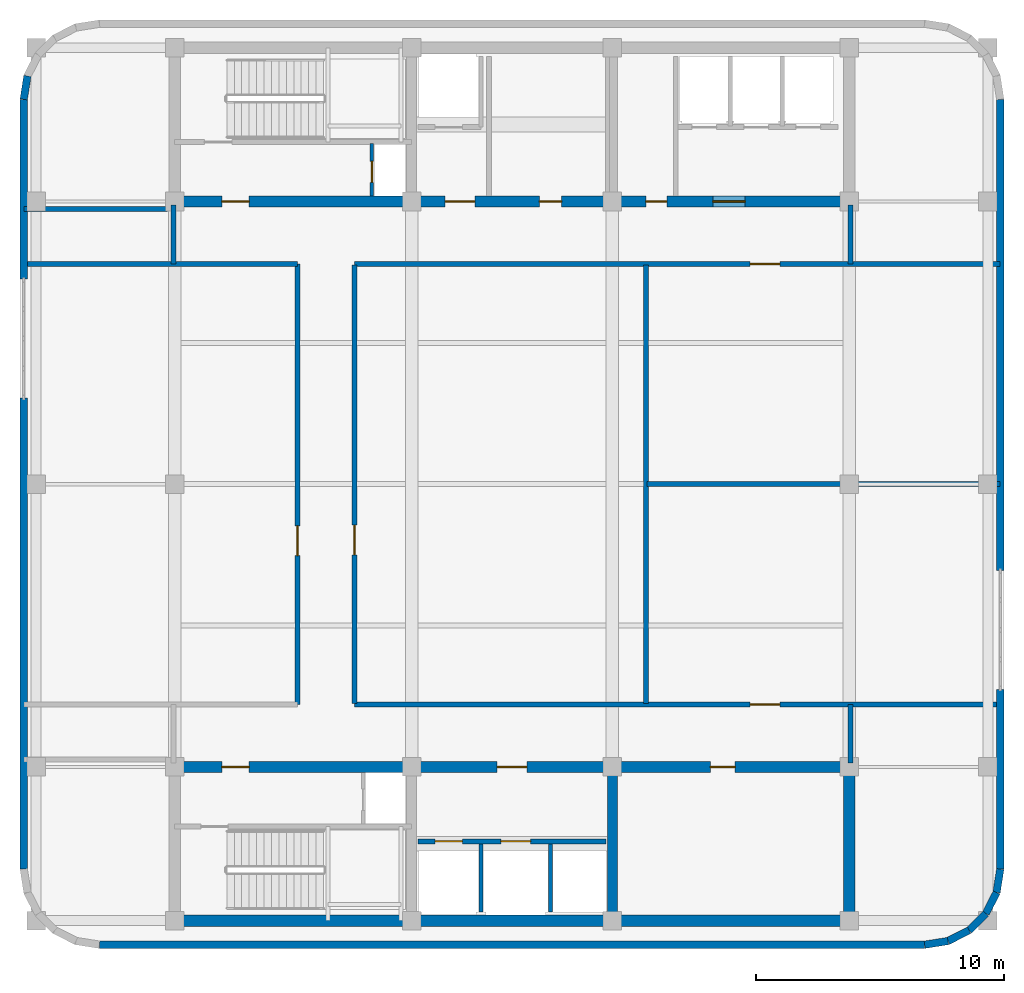
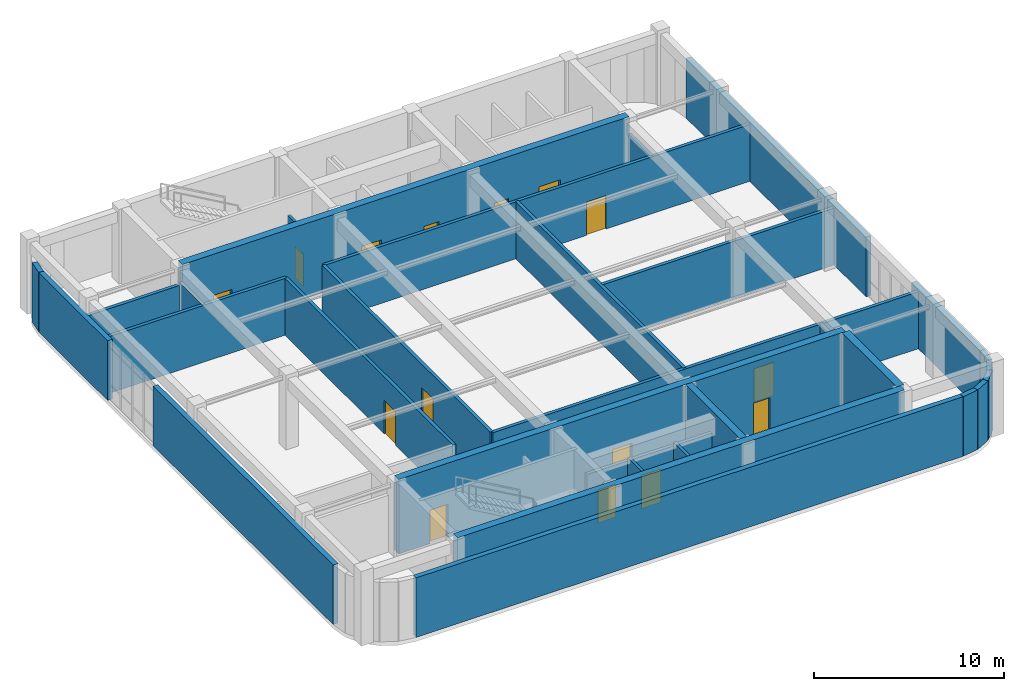
# One storey, part 5 of 7: 31 walls, 15 doors, 15 openings.
"""IFC4 building model written with IfcOpenShell, lengths in metres."""

from ifc_helpers import new_model, si_unit, direction, frame, frame_2d, origin, place, context, subcontext, project, spatial, rectangle, extrude, material, layer, layer_set, type_object, element, fill, save


model = new_model("IFC4")

# Units and contexts
model_context = context("Model", 3, precision=1e-05, world=origin(), true_north=direction((0.0, 1.0)))
body_context = subcontext(model_context, "Body", "Model", "MODEL_VIEW")
ifc_project = project(units=[si_unit("LENGTHUNIT", "METRE"), si_unit("AREAUNIT", "SQUARE_METRE"), si_unit("VOLUMEUNIT", "CUBIC_METRE"), si_unit("PLANEANGLEUNIT", "RADIAN"), si_unit("MASSUNIT", "GRAM", prefix="KILO")], contexts=[model_context])

# Site, building, storey
site_placement = place(None, origin())
site = spatial("IfcSite", under=ifc_project, at=site_placement, CompositionType="ELEMENT")
building_placement = place(site_placement, origin())
building = spatial("IfcBuilding", under=site, at=building_placement, Name="Svetorya Sky Lyceum", CompositionType="ELEMENT")
storey_placement = place(building_placement, frame((0.0, 0.0, 255.39990234375)))
storey = spatial("IfcBuildingStorey", under=building, at=storey_placement, Name="L64", CompositionType="ELEMENT", Elevation=255.39990234375)

# Walls
ifc_material_1 = material(Name="Concrete C40/50", Category="concrete")
ifc_layer_1 = layer(ifc_material_1, 0.39990234375)
ifc_layer_set_1 = layer_set([ifc_layer_1], Name="Concrete C40/50")
wall_type_1 = type_object("IfcWallType", Name="WL-CORE-400", PredefinedType="SHEAR", material=ifc_layer_set_1)
wall_1_placement = place(storey_placement, frame((43.25, 10.824951171875, 0.0), z_axis=(0.0, 0.0, 1.0), x_axis=(0.0, 1.0, 0.0)))
element("IfcWall", 1, at=wall_1_placement, inside=storey, type_object=wall_type_1, Name="L64 SC Internal Shear Web WEB2", PredefinedType="SHEAR", context=body_context, shape_type="SweptSolid", body=[
    extrude(rectangle(XDim=5.75, YDim=0.39990234375, at=frame_2d((2.875, 0.0))), origin(), (0.0, 0.0, 1.0), 4.800048828125),
])
ifc_material_2 = material(Name="Concrete C50/60", Category="concrete")
ifc_layer_2 = layer(ifc_material_2, 0.449951171875)
ifc_layer_set_2 = layer_set([ifc_layer_2], Name="Concrete C50/60")
wall_type_2 = type_object("IfcWallType", Name="WL-CORE-450", PredefinedType="SHEAR", material=ifc_layer_set_2)
wall_2_placement = place(storey_placement, frame((52.800048828125, 10.60009765625, 0.0), z_axis=(0.0, 0.0, 1.0), x_axis=(-1.0, 0.0, 0.0)))
element("IfcWall", 2, at=wall_2_placement, inside=storey, type_object=wall_type_2, Name="L64 SC Outer Core Shear Wall", PredefinedType="SHEAR", context=body_context, shape_type="SweptSolid", body=[
    extrude(rectangle(XDim=27.199951171875, YDim=0.449951171875, at=frame_2d((13.60009765625, 0.0))), origin(), (0.0, 0.0, 1.0), 4.800048828125),
])
wall_3_placement = place(storey_placement, frame((52.800048828125, 10.824951171875, 0.0), z_axis=(0.0, 0.0, 1.0), x_axis=(0.0, 1.0, 0.0)))
element("IfcWall", 3, at=wall_3_placement, inside=storey, type_object=wall_type_2, Name="L64 SC East Core Shear Wall", PredefinedType="SHEAR", context=body_context, shape_type="SweptSolid", body=[
    extrude(rectangle(XDim=5.75, YDim=0.449951171875, at=frame_2d((2.875, 0.0))), origin(), (0.0, 0.0, 1.0), 4.800048828125),
])

# Wall, openings, doors
wall_4_placement = place(storey_placement, frame((25.60009765625, 16.800048828125, 0.0), z_axis=(0.0, 0.0, 1.0), x_axis=(1.0, 0.0, 0.0)))
wall_4 = element("IfcWall", 4, at=wall_4_placement, inside=storey, type_object=wall_type_2, Name="L64 SC Inner Core Shear Wall", PredefinedType="SHEAR", context=body_context, shape_type="SweptSolid", body=[
    extrude(rectangle(XDim=27.199951171875, YDim=0.449951171875, at=frame_2d((13.60009765625, 0.0))), origin(), (0.0, 0.0, 1.0), 4.800048828125),
])
opening_1_placement = place(wall_4_placement, frame((1.89990234375, 0.0, 0.0)))
opening_1 = element("IfcOpeningElement", 5, at=opening_1_placement, cuts=wall_4, Name="Opening D-ST1", PredefinedType="OPENING", context=body_context, shape_type="SweptSolid", body=[
    extrude(rectangle(XDim=1.10009765625, YDim=2.14990234375, at=frame_2d((0.550048828125, 1.074951171875))), frame((0.0, 0.23486328125, 0.0), z_axis=(0.0, -1.0, 0.0), x_axis=(1.0, 0.0, 0.0)), (0.0, 0.0, 1.0), 0.469970703125),
])
opening_2_placement = place(wall_4_placement, frame((13.0, 0.0, 0.0)))
opening_2 = element("IfcOpeningElement", 6, at=opening_2_placement, cuts=wall_4, Name="Opening D-FL1", PredefinedType="OPENING", context=body_context, shape_type="SweptSolid", body=[
    extrude(rectangle(XDim=1.199951171875, YDim=2.14990234375, at=frame_2d((0.60009765625, 1.074951171875))), frame((0.0, 0.23486328125, 0.0), z_axis=(0.0, -1.0, 0.0), x_axis=(1.0, 0.0, 0.0)), (0.0, 0.0, 1.0), 0.469970703125),
])
opening_3_placement = place(wall_4_placement, frame((21.60009765625, 0.0, 0.0)))
opening_3 = element("IfcOpeningElement", 7, at=opening_3_placement, cuts=wall_4, Name="Opening D-RM2", PredefinedType="OPENING", context=body_context, shape_type="SweptSolid", body=[
    extrude(rectangle(XDim=1.0, YDim=2.14990234375, at=frame_2d((0.5, 1.074951171875))), frame((0.0, 0.23486328125, 0.0), z_axis=(0.0, -1.0, 0.0), x_axis=(1.0, 0.0, 0.0)), (0.0, 0.0, 1.0), 0.469970703125),
])
ifc_material_3 = material(Name="Powder-coated insulated galvanized stair fire door")
door_type_1 = type_object("IfcDoorType", Name="DR-FIRE-1100", OperationType="SINGLE_SWING_LEFT", PredefinedType="DOOR", material=ifc_material_3)
door_1_placement = place(opening_1_placement, origin())
door_1 = element("IfcDoor", 8, at=door_1_placement, inside=storey, type_object=door_type_1, Name="L64 South Stair Airlock Door", OperationType="SINGLE_SWING_RIGHT", OverallHeight=2.14990234375, OverallWidth=1.10009765625, PredefinedType="DOOR", context=body_context, shape_type="SweptSolid", body=[
    extrude(rectangle(XDim=1.10009765625, YDim=2.14990234375, at=frame_2d((0.550048828125, 1.074951171875))), frame((0.0, 0.02490234375, 0.0), z_axis=(0.0, -1.0, 0.0), x_axis=(1.0, 0.0, 0.0)), (0.0, 0.0, 1.0), 0.050048828125),
])
fill(opening_1, door_1)
ifc_material_4 = material(Name="Powder-coated insulated galvanized fire door")
door_type_2 = type_object("IfcDoorType", Name="DR-FIRE-1200", OperationType="SINGLE_SWING_LEFT", PredefinedType="DOOR", material=ifc_material_4)
door_2_placement = place(opening_2_placement, origin())
door_2 = element("IfcDoor", 9, at=door_2_placement, inside=storey, type_object=door_type_2, Name="L64 South Firefighting Lift Lobby Door", OperationType="SINGLE_SWING_LEFT", OverallHeight=2.14990234375, OverallWidth=1.199951171875, PredefinedType="DOOR", context=body_context, shape_type="SweptSolid", body=[
    extrude(rectangle(XDim=1.199951171875, YDim=2.14990234375, at=frame_2d((0.60009765625, 1.074951171875))), frame((0.0, 0.02490234375, 0.0), z_axis=(0.0, -1.0, 0.0), x_axis=(1.0, 0.0, 0.0)), (0.0, 0.0, 1.0), 0.050048828125),
])
fill(opening_2, door_2)
ifc_material_5 = material(Name="Solid-core oak acoustic room door")
door_type_3 = type_object("IfcDoorType", Name="DR-INT-1000", OperationType="SINGLE_SWING_LEFT", PredefinedType="DOOR", material=ifc_material_5)
door_3_placement = place(opening_3_placement, origin())
door_3 = element("IfcDoor", 10, at=door_3_placement, inside=storey, type_object=door_type_3, Name="L64 Trunk Store Door", OperationType="SINGLE_SWING_LEFT", OverallHeight=2.14990234375, OverallWidth=1.0, PredefinedType="DOOR", context=body_context, shape_type="SweptSolid", body=[
    extrude(rectangle(XDim=1.0, YDim=2.14990234375, at=frame_2d((0.5, 1.074951171875))), frame((0.0, 0.02490234375, 0.0), z_axis=(0.0, -1.0, 0.0), x_axis=(1.0, 0.0, 0.0)), (0.0, 0.0, 1.0), 0.050048828125),
])
fill(opening_3, door_3)

wall_5_placement = place(storey_placement, frame((52.800048828125, 39.60009765625, 0.0), z_axis=(0.0, 0.0, 1.0), x_axis=(-1.0, 0.0, 0.0)))
wall_5 = element("IfcWall", 11, at=wall_5_placement, inside=storey, type_object=wall_type_2, Name="L64 NC Inner Core Shear Wall", PredefinedType="SHEAR", context=body_context, shape_type="SweptSolid", body=[
    extrude(rectangle(XDim=27.199951171875, YDim=0.449951171875, at=frame_2d((13.60009765625, 0.0))), origin(), (0.0, 0.0, 1.0), 4.800048828125),
])
opening_4_placement = place(wall_5_placement, frame((24.199951171875, 0.0, 0.0)))
opening_4 = element("IfcOpeningElement", 12, at=opening_4_placement, cuts=wall_5, Name="Opening D-ST1", PredefinedType="OPENING", context=body_context, shape_type="SweptSolid", body=[
    extrude(rectangle(XDim=1.10009765625, YDim=2.14990234375, at=frame_2d((0.550048828125, 1.074951171875))), frame((0.0, 0.23486328125, 0.0), z_axis=(0.0, -1.0, 0.0), x_axis=(1.0, 0.0, 0.0)), (0.0, 0.0, 1.0), 0.469970703125),
])
opening_5_placement = place(wall_5_placement, frame((15.10009765625, 0.0, 0.0)))
opening_5 = element("IfcOpeningElement", 13, at=opening_5_placement, cuts=wall_5, Name="Opening D-FL1", PredefinedType="OPENING", context=body_context, shape_type="SweptSolid", body=[
    extrude(rectangle(XDim=1.199951171875, YDim=2.14990234375, at=frame_2d((0.60009765625, 1.074951171875))), frame((0.0, 0.23486328125, 0.0), z_axis=(0.0, -1.0, 0.0), x_axis=(1.0, 0.0, 0.0)), (0.0, 0.0, 1.0), 0.469970703125),
])
opening_6_placement = place(wall_5_placement, frame((11.60009765625, 0.0, 0.0)))
opening_6 = element("IfcOpeningElement", 14, at=opening_6_placement, cuts=wall_5, Name="Opening D-RM1", PredefinedType="OPENING", context=body_context, shape_type="SweptSolid", body=[
    extrude(rectangle(XDim=0.89990234375, YDim=2.10009765625, at=frame_2d((0.449951171875, 1.050048828125))), frame((0.0, 0.23486328125, 0.0), z_axis=(0.0, -1.0, 0.0), x_axis=(1.0, 0.0, 0.0)), (0.0, 0.0, 1.0), 0.469970703125),
])
opening_7_placement = place(wall_5_placement, frame((7.35009765625, 0.0, 0.0)))
opening_7 = element("IfcOpeningElement", 15, at=opening_7_placement, cuts=wall_5, Name="Opening D-CWC1", PredefinedType="OPENING", context=body_context, shape_type="SweptSolid", body=[
    extrude(rectangle(XDim=0.85009765625, YDim=2.10009765625, at=frame_2d((0.425048828125, 1.050048828125))), frame((0.0, 0.23486328125, 0.0), z_axis=(0.0, -1.0, 0.0), x_axis=(1.0, 0.0, 0.0)), (0.0, 0.0, 1.0), 0.469970703125),
])
opening_8_placement = place(wall_5_placement, frame((4.199951171875, 0.0, 0.0)))
opening_8 = element("IfcOpeningElement", 16, at=opening_8_placement, cuts=wall_5, Name="Opening D-LB1", PredefinedType="OPENING", context=body_context, shape_type="SweptSolid", body=[
    extrude(rectangle(XDim=1.300048828125, YDim=2.199951171875, at=frame_2d((0.64990234375, 1.10009765625))), frame((0.0, 0.23486328125, 0.0), z_axis=(0.0, -1.0, 0.0), x_axis=(1.0, 0.0, 0.0)), (0.0, 0.0, 1.0), 0.469970703125),
])
ifc_material_6 = material(Name="Fire-rated galvanized steel core service closet door", Category="steel")
door_type_4 = type_object("IfcDoorType", Name="DR-CWET-850", OperationType="SINGLE_SWING_LEFT", PredefinedType="DOOR", material=ifc_material_6)
door_4_placement = place(opening_7_placement, origin())
door_4 = element("IfcDoor", 17, at=door_4_placement, inside=storey, type_object=door_type_4, Name="L64 High-Zone Utility Room Door", OperationType="SINGLE_SWING_LEFT", OverallHeight=2.10009765625, OverallWidth=0.85009765625, PredefinedType="DOOR", context=body_context, shape_type="SweptSolid", body=[
    extrude(rectangle(XDim=0.85009765625, YDim=2.10009765625, at=frame_2d((0.425048828125, 1.050048828125))), frame((0.0, 0.02490234375, 0.0), z_axis=(0.0, -1.0, 0.0), x_axis=(1.0, 0.0, 0.0)), (0.0, 0.0, 1.0), 0.050048828125),
])
fill(opening_7, door_4)
door_5_placement = place(opening_4_placement, origin())
door_5 = element("IfcDoor", 18, at=door_5_placement, inside=storey, type_object=door_type_1, Name="L64 North Stair Airlock Door", OperationType="SINGLE_SWING_LEFT", OverallHeight=2.14990234375, OverallWidth=1.10009765625, PredefinedType="DOOR", context=body_context, shape_type="SweptSolid", body=[
    extrude(rectangle(XDim=1.10009765625, YDim=2.14990234375, at=frame_2d((0.550048828125, 1.074951171875))), frame((0.0, 0.02490234375, 0.0), z_axis=(0.0, -1.0, 0.0), x_axis=(1.0, 0.0, 0.0)), (0.0, 0.0, 1.0), 0.050048828125),
])
fill(opening_4, door_5)
door_6_placement = place(opening_5_placement, origin())
door_6 = element("IfcDoor", 19, at=door_6_placement, inside=storey, type_object=door_type_2, Name="L64 North Firefighting Lift Lobby Door", OperationType="SINGLE_SWING_RIGHT", OverallHeight=2.14990234375, OverallWidth=1.199951171875, PredefinedType="DOOR", context=body_context, shape_type="SweptSolid", body=[
    extrude(rectangle(XDim=1.199951171875, YDim=2.14990234375, at=frame_2d((0.60009765625, 1.074951171875))), frame((0.0, 0.02490234375, 0.0), z_axis=(0.0, -1.0, 0.0), x_axis=(1.0, 0.0, 0.0)), (0.0, 0.0, 1.0), 0.050048828125),
])
fill(opening_5, door_6)
ifc_material_7 = material(Name="Lacquered birch veneer internal door")
door_type_5 = type_object("IfcDoorType", Name="DR-INT-900", OperationType="SINGLE_SWING_LEFT", PredefinedType="DOOR", material=ifc_material_7)
door_7_placement = place(opening_6_placement, origin())
door_7 = element("IfcDoor", 20, at=door_7_placement, inside=storey, type_object=door_type_5, Name="L64 Upper Archive Door", OperationType="SINGLE_SWING_LEFT", OverallHeight=2.10009765625, OverallWidth=0.89990234375, PredefinedType="DOOR", context=body_context, shape_type="SweptSolid", body=[
    extrude(rectangle(XDim=0.89990234375, YDim=2.10009765625, at=frame_2d((0.449951171875, 1.050048828125))), frame((0.0, 0.02490234375, 0.0), z_axis=(0.0, -1.0, 0.0), x_axis=(1.0, 0.0, 0.0)), (0.0, 0.0, 1.0), 0.050048828125),
])
fill(opening_6, door_7)
ifc_material_8 = material(Name="Glazed fire-rated aluminium lobby door", Category="aluminium")
door_type_6 = type_object("IfcDoorType", Name="DR-LOB-1300", OperationType="SINGLE_SWING_LEFT", PredefinedType="DOOR", material=ifc_material_8)
door_8_placement = place(opening_8_placement, origin())
door_8 = element("IfcDoor", 21, at=door_8_placement, inside=storey, type_object=door_type_6, Name="L64 North Passenger Lift Lobby Door", OperationType="SINGLE_SWING_LEFT", OverallHeight=2.199951171875, OverallWidth=1.300048828125, PredefinedType="DOOR", context=body_context, shape_type="SweptSolid", body=[
    extrude(rectangle(XDim=1.300048828125, YDim=2.199951171875, at=frame_2d((0.64990234375, 1.10009765625))), frame((0.0, 0.02490234375, 0.0), z_axis=(0.0, -1.0, 0.0), x_axis=(1.0, 0.0, 0.0)), (0.0, 0.0, 1.0), 0.050048828125),
])
fill(opening_8, door_8)

# Walls
ifc_material_9 = material(Name="Putilovo limestone rainscreen on autoclaved cellular masonry", Category="masonry")
ifc_layer_3 = layer(ifc_material_9, 0.300048828125)
ifc_layer_set_3 = layer_set([ifc_layer_3], Name="Putilovo limestone rainscreen on autoclaved cellular masonry")
wall_type_3 = type_object("IfcWallType", Name="WL-EXT-300", PredefinedType="SOLIDWALL", material=ifc_layer_set_3)
wall_6_placement = place(storey_placement, frame((22.56005859375, 9.6298828125, 0.0), z_axis=(0.0, 0.0, 1.0), x_axis=(1.0, 0.0, 0.0)))
element("IfcWall", 22, at=wall_6_placement, inside=storey, type_object=wall_type_3, Name="L64 Limestone Exterior Wall 6M", PredefinedType="SOLIDWALL", context=body_context, shape_type="SweptSolid", body=[
    extrude(rectangle(XDim=33.280029296875, YDim=0.300048828125, at=frame_2d((16.64013671875, 0.0))), origin(), (0.0, 0.0, 1.0), 3.830078125),
])
wall_7_placement = place(storey_placement, frame((55.840087890625, 9.6298828125, 0.0), z_axis=(0.0, 0.0, 1.0), x_axis=(0.987663181641, 0.156593229835, 0.0)))
element("IfcWall", 23, at=wall_7_placement, inside=storey, type_object=wall_type_3, Name="L64 Limestone Exterior Wall 7M", PredefinedType="SOLIDWALL", context=body_context, shape_type="SweptSolid", body=[
    extrude(rectangle(XDim=0.9541015625, YDim=0.300048828125, at=frame_2d((0.47705078125, 0.0))), origin(), (0.0, 0.0, 1.0), 3.830078125),
])
for number, where, z_axis, x_axis, name in (
    (24, (56.782470703125, 9.779296875, 0.0), (0.0, 0.0, 1.0), (0.891076589373, 0.453852962833, 0.0), "L64 Limestone Exterior Wall 8M"),
    (25, (57.6328125, 10.21240234375, 0.0), (0.0, 0.0, 1.0), (0.707106781187, 0.707106781187, 0.0), "L64 Limestone Exterior Wall 9M"),
    (26, (58.3076171875, 10.88720703125, 0.0), (0.0, 0.0, 1.0), (0.453852962833, 0.891076589373, 0.0), "L64 Limestone Exterior Wall 10M"),
):
    element("IfcWall", number, at=place(storey_placement, frame(where, z_axis=z_axis, x_axis=x_axis)), inside=storey, type_object=wall_type_3, Name=name, PredefinedType="SOLIDWALL", context=body_context, shape_type="SweptSolid", body=[
        extrude(rectangle(XDim=0.954345703125, YDim=0.300048828125, at=frame_2d((0.47705078125, 0.0))), origin(), (0.0, 0.0, 1.0), 3.830078125),
    ])
wall_8_placement = place(storey_placement, frame((58.74072265625, 11.737548828125, 0.0), z_axis=(0.0, 0.0, 1.0), x_axis=(0.156343617883, 0.987702725088, 0.0)))
element("IfcWall", 27, at=wall_8_placement, inside=storey, type_object=wall_type_3, Name="L64 Limestone Exterior Wall 11M", PredefinedType="SOLIDWALL", context=body_context, shape_type="SweptSolid", body=[
    extrude(rectangle(XDim=0.9541015625, YDim=0.300048828125, at=frame_2d((0.47705078125, 0.0))), origin(), (0.0, 0.0, 1.0), 3.830078125),
])
wall_9_placement = place(storey_placement, frame((58.889892578125, 12.679931640625, 0.0), z_axis=(0.0, 0.0, 1.0), x_axis=(0.0, 1.0, 0.0)))
element("IfcWall", 28, at=wall_9_placement, inside=storey, type_object=wall_type_3, Name="L64 Limestone Exterior Wall 12A", PredefinedType="SOLIDWALL", context=body_context, shape_type="SweptSolid", body=[
    extrude(rectangle(XDim=7.25, YDim=0.300048828125, at=frame_2d((3.625, 0.0))), origin(), (0.0, 0.0, 1.0), 3.830078125),
])
wall_10_placement = place(storey_placement, frame((58.889892578125, 24.72998046875, 0.0), z_axis=(0.0, 0.0, 1.0), x_axis=(0.0, 1.0, 0.0)))
element("IfcWall", 29, at=wall_10_placement, inside=storey, type_object=wall_type_3, Name="L64 Limestone Exterior Wall 12B", PredefinedType="SOLIDWALL", context=body_context, shape_type="SweptSolid", body=[
    extrude(rectangle(XDim=18.989990234375, YDim=0.300048828125, at=frame_2d((9.4951171875, 0.0))), origin(), (0.0, 0.0, 1.0), 3.830078125),
])
wall_11_placement = place(storey_placement, frame((19.6591796875, 44.66259765625, 0.0), z_axis=(0.0, 0.0, 1.0), x_axis=(-0.156304114255, -0.987708977314, 0.0)))
element("IfcWall", 30, at=wall_11_placement, inside=storey, type_object=wall_type_3, Name="L64 Limestone Exterior Wall 23M", PredefinedType="SOLIDWALL", context=body_context, shape_type="SweptSolid", body=[
    extrude(rectangle(XDim=0.954345703125, YDim=0.300048828125, at=frame_2d((0.47705078125, 0.0))), origin(), (0.0, 0.0, 1.0), 3.830078125),
])
wall_12_placement = place(storey_placement, frame((19.510009765625, 43.719970703125, 0.0), z_axis=(0.0, 0.0, 1.0), x_axis=(0.0, -1.0, 0.0)))
element("IfcWall", 31, at=wall_12_placement, inside=storey, type_object=wall_type_3, Name="L64 Limestone Exterior Wall 24A", PredefinedType="SOLIDWALL", context=body_context, shape_type="SweptSolid", body=[
    extrude(rectangle(XDim=7.25, YDim=0.300048828125, at=frame_2d((3.625, 0.0))), origin(), (0.0, 0.0, 1.0), 3.830078125),
])
wall_13_placement = place(storey_placement, frame((19.510009765625, 31.669921875, 0.0), z_axis=(0.0, 0.0, 1.0), x_axis=(0.0, -1.0, 0.0)))
element("IfcWall", 32, at=wall_13_placement, inside=storey, type_object=wall_type_3, Name="L64 Limestone Exterior Wall 24B", PredefinedType="SOLIDWALL", context=body_context, shape_type="SweptSolid", body=[
    extrude(rectangle(XDim=18.989990234375, YDim=0.300048828125, at=frame_2d((9.4951171875, 0.0))), origin(), (0.0, 0.0, 1.0), 3.830078125),
])

# Wall, opening, door
ifc_material_10 = material(Name="Autoclaved cellular masonry blockwork with acoustic render", Category="masonry")
ifc_layer_4 = layer(ifc_material_10, 0.14990234375)
ifc_layer_set_4 = layer_set([ifc_layer_4], Name="Autoclaved cellular masonry blockwork with acoustic render")
wall_type_4 = type_object("IfcWallType", Name="WL-PART-150", PredefinedType="PARTITIONING", material=ifc_layer_set_4)
wall_14_placement = place(storey_placement, frame((33.550048828125, 39.820068359375, 0.0), z_axis=(0.0, 0.0, 1.0), x_axis=(0.0, 1.0, 0.0)))
wall_14 = element("IfcWall", 33, at=wall_14_placement, inside=storey, type_object=wall_type_4, Name="L64 Interior Partition NC-RSRW", PredefinedType="PARTITIONING", context=body_context, shape_type="SweptSolid", body=[
    extrude(rectangle(XDim=2.1298828125, YDim=0.14990234375, at=frame_2d((1.06494140625, 0.0))), origin(), (0.0, 0.0, 1.0), 3.66015625),
])
opening_9_placement = place(wall_14_placement, frame((0.550048828125, 0.0, 0.0)))
opening_9 = element("IfcOpeningElement", 34, at=opening_9_placement, cuts=wall_14, Name="Opening D-SH1", PredefinedType="OPENING", context=body_context, shape_type="SweptSolid", body=[
    extrude(rectangle(XDim=0.85009765625, YDim=2.050048828125, at=frame_2d((0.425048828125, 1.02490234375))), frame((0.0, 0.0849609375, 0.0), z_axis=(0.0, -1.0, 0.0), x_axis=(1.0, 0.0, 0.0)), (0.0, 0.0, 1.0), 0.169921875),
])
ifc_material_11 = material(Name="Insulated galvanized riser inspection fire door")
door_type_7 = type_object("IfcDoorType", Name="DR-SHFT-850", OperationType="SINGLE_SWING_LEFT", PredefinedType="TRAPDOOR", material=ifc_material_11)
door_9_placement = place(opening_9_placement, origin())
door_9 = element("IfcDoor", 35, at=door_9_placement, inside=storey, type_object=door_type_7, Name="L64 North Riser Access Door", OperationType="SINGLE_SWING_LEFT", OverallHeight=2.050048828125, OverallWidth=0.85009765625, PredefinedType="TRAPDOOR", context=body_context, shape_type="SweptSolid", body=[
    extrude(rectangle(XDim=0.85009765625, YDim=2.050048828125, at=frame_2d((0.425048828125, 1.02490234375))), frame((0.0, 0.02490234375, 0.0), z_axis=(0.0, -1.0, 0.0), x_axis=(1.0, 0.0, 0.0)), (0.0, 0.0, 1.0), 0.050048828125),
])
fill(opening_9, door_9)

# Walls
ifc_material_12 = material(Name="Autoclaved cellular masonry blockwork with fire render", Category="masonry")
ifc_layer_5 = layer(ifc_material_12, 0.175048828125)
ifc_layer_set_5 = layer_set([ifc_layer_5], Name="Autoclaved cellular masonry blockwork with fire render")
wall_type_5 = type_object("IfcWallType", Name="WL-PART-175", PredefinedType="PARTITIONING", material=ifc_layer_set_5)
for number, where, z_axis, x_axis, name in (
    (36, (37.949951171875, 10.949951171875, 0.0), (0.0, 0.0, 1.0), (0.0, 1.0, 0.0), "L64 Interior Partition SC-SHD1"),
    (37, (40.75, 10.949951171875, 0.0), (0.0, 0.0, 1.0), (0.0, 1.0, 0.0), "L64 Interior Partition SC-SHD2"),
):
    element("IfcWall", number, at=place(storey_placement, frame(where, z_axis=z_axis, x_axis=x_axis)), inside=storey, type_object=wall_type_5, Name=name, PredefinedType="PARTITIONING", context=body_context, shape_type="SweptSolid", body=[
        extrude(rectangle(XDim=2.75, YDim=0.175048828125, at=frame_2d((1.375, 0.0))), origin(), (0.0, 0.0, 1.0), 3.66015625),
    ])

# Wall, openings, doors
ifc_material_13 = material(Name="Autoclaved cellular masonry blockwork with gypsum plaster", Category="masonry")
ifc_layer_6 = layer(ifc_material_13, 0.199951171875)
ifc_layer_set_6 = layer_set([ifc_layer_6], Name="Autoclaved cellular masonry blockwork with gypsum plaster")
wall_type_6 = type_object("IfcWallType", Name="WL-PART-200", PredefinedType="PARTITIONING", material=ifc_layer_set_6)
wall_15_placement = place(storey_placement, frame((35.39990234375, 13.800048828125, 0.0), z_axis=(0.0, 0.0, 1.0), x_axis=(1.0, 0.0, 0.0)))
wall_15 = element("IfcWall", 38, at=wall_15_placement, inside=storey, type_object=wall_type_6, Name="L64 Interior Partition SC-FLW", PredefinedType="PARTITIONING", context=body_context, shape_type="SweptSolid", body=[
    extrude(rectangle(XDim=7.60009765625, YDim=0.199951171875, at=frame_2d((3.800048828125, 0.0))), origin(), (0.0, 0.0, 1.0), 3.43017578125),
])
opening_10_placement = place(wall_15_placement, frame((0.699951171875, 0.0, 0.0)))
opening_10 = element("IfcOpeningElement", 39, at=opening_10_placement, cuts=wall_15, Name="Opening LD-FL", PredefinedType="OPENING", context=body_context, shape_type="SweptSolid", body=[
    extrude(rectangle(XDim=1.10009765625, YDim=2.14990234375, at=frame_2d((0.550048828125, 1.074951171875))), frame((0.0, 0.10986328125, 0.0), z_axis=(0.0, -1.0, 0.0), x_axis=(1.0, 0.0, 0.0)), (0.0, 0.0, 1.0), 0.219970703125),
])
opening_11_placement = place(wall_15_placement, frame((3.35009765625, 0.0, 0.0)))
opening_11 = element("IfcOpeningElement", 40, at=opening_11_placement, cuts=wall_15, Name="Opening LD-SV", PredefinedType="OPENING", context=body_context, shape_type="SweptSolid", body=[
    extrude(rectangle(XDim=1.199951171875, YDim=2.14990234375, at=frame_2d((0.60009765625, 1.074951171875))), frame((0.0, 0.10986328125, 0.0), z_axis=(0.0, -1.0, 0.0), x_axis=(1.0, 0.0, 0.0)), (0.0, 0.0, 1.0), 0.219970703125),
])
ifc_material_14 = material(Name="Fire-rated stainless AISI 304 firefighting lift landing door")
door_type_8 = type_object("IfcDoorType", Name="DR-LIFT-1100", OperationType="SLIDING_TO_LEFT", PredefinedType="DOOR", material=ifc_material_14)
door_10_placement = place(opening_10_placement, origin())
door_10 = element("IfcDoor", 41, at=door_10_placement, inside=storey, type_object=door_type_8, Name="L64 Firefighting Lift FL2 Landing Door", OperationType="SLIDING_TO_LEFT", OverallHeight=2.14990234375, OverallWidth=1.10009765625, PredefinedType="DOOR", context=body_context, shape_type="SweptSolid", body=[
    extrude(rectangle(XDim=1.10009765625, YDim=2.14990234375, at=frame_2d((0.550048828125, 1.074951171875))), frame((0.0, 0.02490234375, 0.0), z_axis=(0.0, -1.0, 0.0), x_axis=(1.0, 0.0, 0.0)), (0.0, 0.0, 1.0), 0.050048828125),
])
fill(opening_10, door_10)
ifc_material_15 = material(Name="Brushed stainless AISI 304 telescopic lift landing door")
door_type_9 = type_object("IfcDoorType", Name="DR-LIFT-1200", OperationType="SLIDING_TO_LEFT", PredefinedType="DOOR", material=ifc_material_15)
door_11_placement = place(opening_11_placement, origin())
door_11 = element("IfcDoor", 42, at=door_11_placement, inside=storey, type_object=door_type_9, Name="L64 Service Lift SVL1 Landing Door", OperationType="SLIDING_TO_LEFT", OverallHeight=2.14990234375, OverallWidth=1.199951171875, PredefinedType="DOOR", context=body_context, shape_type="SweptSolid", body=[
    extrude(rectangle(XDim=1.199951171875, YDim=2.14990234375, at=frame_2d((0.60009765625, 1.074951171875))), frame((0.0, 0.02490234375, 0.0), z_axis=(0.0, -1.0, 0.0), x_axis=(1.0, 0.0, 0.0)), (0.0, 0.0, 1.0), 0.050048828125),
])
fill(opening_11, door_11)

# Wall
wall_16_placement = place(storey_placement, frame((19.530029296875, 37.080078125, 0.0), z_axis=(0.0, 0.0, 1.0), x_axis=(1.0, 0.0, 0.0)))
element("IfcWall", 43, at=wall_16_placement, inside=storey, type_object=wall_type_6, Name="L64 Interior Partition PL-NW", PredefinedType="PARTITIONING", context=body_context, shape_type="SweptSolid", body=[
    extrude(rectangle(XDim=11.02001953125, YDim=0.199951171875, at=frame_2d((5.510009765625, 0.0))), origin(), (0.0, 0.0, 1.0), 3.66015625),
])

# Wall, opening, door
wall_17_placement = place(storey_placement, frame((30.550048828125, 19.320068359375, 0.0), z_axis=(0.0, 0.0, 1.0), x_axis=(0.0, 1.0, 0.0)))
wall_17 = element("IfcWall", 44, at=wall_17_placement, inside=storey, type_object=wall_type_6, Name="L64 Interior Partition PL-W1", PredefinedType="PARTITIONING", context=body_context, shape_type="SweptSolid", body=[
    extrude(rectangle(XDim=17.760009765625, YDim=0.199951171875, at=frame_2d((8.8798828125, 0.0))), origin(), (0.0, 0.0, 1.0), 3.66015625),
])
opening_12_placement = place(wall_17_placement, frame((6.0, 0.0, 0.0)))
opening_12 = element("IfcOpeningElement", 45, at=opening_12_placement, cuts=wall_17, Name="Opening D-FL1", PredefinedType="OPENING", context=body_context, shape_type="SweptSolid", body=[
    extrude(rectangle(XDim=1.199951171875, YDim=2.14990234375, at=frame_2d((0.60009765625, 1.074951171875))), frame((0.0, 0.10986328125, 0.0), z_axis=(0.0, -1.0, 0.0), x_axis=(1.0, 0.0, 0.0)), (0.0, 0.0, 1.0), 0.219970703125),
])
door_12_placement = place(opening_12_placement, origin())
door_12 = element("IfcDoor", 46, at=door_12_placement, inside=storey, type_object=door_type_2, Name="L64 West Plant Door", OperationType="SINGLE_SWING_LEFT", OverallHeight=2.14990234375, OverallWidth=1.199951171875, PredefinedType="DOOR", context=body_context, shape_type="SweptSolid", body=[
    extrude(rectangle(XDim=1.199951171875, YDim=2.14990234375, at=frame_2d((0.60009765625, 1.074951171875))), frame((0.0, 0.02490234375, 0.0), z_axis=(0.0, -1.0, 0.0), x_axis=(1.0, 0.0, 0.0)), (0.0, 0.0, 1.0), 0.050048828125),
])
fill(opening_12, door_12)

wall_18_placement = place(storey_placement, frame((32.85009765625, 19.35009765625, 0.0), z_axis=(0.0, 0.0, 1.0), x_axis=(0.0, 1.0, 0.0)))
wall_18 = element("IfcWall", 47, at=wall_18_placement, inside=storey, type_object=wall_type_6, Name="L64 Interior Partition PL-W2", PredefinedType="PARTITIONING", context=body_context, shape_type="SweptSolid", body=[
    extrude(rectangle(XDim=17.699951171875, YDim=0.199951171875, at=frame_2d((8.85009765625, 0.0))), origin(), (0.0, 0.0, 1.0), 3.66015625),
])
opening_13_placement = place(wall_18_placement, frame((6.0, 0.0, 0.0)))
opening_13 = element("IfcOpeningElement", 48, at=opening_13_placement, cuts=wall_18, Name="Opening D-FL1", PredefinedType="OPENING", context=body_context, shape_type="SweptSolid", body=[
    extrude(rectangle(XDim=1.199951171875, YDim=2.14990234375, at=frame_2d((0.60009765625, 1.074951171875))), frame((0.0, 0.10986328125, 0.0), z_axis=(0.0, -1.0, 0.0), x_axis=(1.0, 0.0, 0.0)), (0.0, 0.0, 1.0), 0.219970703125),
])
door_13_placement = place(opening_13_placement, origin())
door_13 = element("IfcDoor", 49, at=door_13_placement, inside=storey, type_object=door_type_2, Name="L64 Central Plant Door", OperationType="SINGLE_SWING_RIGHT", OverallHeight=2.14990234375, OverallWidth=1.199951171875, PredefinedType="DOOR", context=body_context, shape_type="SweptSolid", body=[
    extrude(rectangle(XDim=1.199951171875, YDim=2.14990234375, at=frame_2d((0.60009765625, 1.074951171875))), frame((0.0, 0.02490234375, 0.0), z_axis=(0.0, -1.0, 0.0), x_axis=(1.0, 0.0, 0.0)), (0.0, 0.0, 1.0), 0.050048828125),
])
fill(opening_13, door_13)

# Walls
wall_19_placement = place(storey_placement, frame((44.60009765625, 19.35009765625, 0.0), z_axis=(0.0, 0.0, 1.0), x_axis=(0.0, 1.0, 0.0)))
element("IfcWall", 50, at=wall_19_placement, inside=storey, type_object=wall_type_6, Name="L64 Interior Partition PL-W3", PredefinedType="PARTITIONING", context=body_context, shape_type="SweptSolid", body=[
    extrude(rectangle(XDim=17.699951171875, YDim=0.199951171875, at=frame_2d((8.85009765625, 0.0))), origin(), (0.0, 0.0, 1.0), 3.66015625),
])
wall_20_placement = place(storey_placement, frame((44.64990234375, 28.199951171875, 0.0), z_axis=(0.0, 0.0, 1.0), x_axis=(1.0, 0.0, 0.0)))
element("IfcWall", 51, at=wall_20_placement, inside=storey, type_object=wall_type_6, Name="L64 Interior Partition PL-H3", PredefinedType="PARTITIONING", context=body_context, shape_type="SweptSolid", body=[
    extrude(rectangle(XDim=14.22021484375, YDim=0.199951171875, at=frame_2d((7.110107421875, 0.0))), origin(), (0.0, 0.0, 1.0), 3.66015625),
])

# Wall, opening, door
wall_21_placement = place(storey_placement, frame((32.85009765625, 19.320068359375, 0.0), z_axis=(0.0, 0.0, 1.0), x_axis=(1.0, 0.0, 0.0)))
wall_21 = element("IfcWall", 52, at=wall_21_placement, inside=storey, type_object=wall_type_6, Name="L64 Interior Partition PL-S", PredefinedType="PARTITIONING", context=body_context, shape_type="SweptSolid", body=[
    extrude(rectangle(XDim=26.02001953125, YDim=0.199951171875, at=frame_2d((13.010009765625, 0.0))), origin(), (0.0, 0.0, 1.0), 3.66015625),
])
opening_14_placement = place(wall_21_placement, frame((15.949951171875, 0.0, 0.0)))
opening_14 = element("IfcOpeningElement", 53, at=opening_14_placement, cuts=wall_21, Name="Opening D-FL1", PredefinedType="OPENING", context=body_context, shape_type="SweptSolid", body=[
    extrude(rectangle(XDim=1.199951171875, YDim=2.14990234375, at=frame_2d((0.60009765625, 1.074951171875))), frame((0.0, 0.10986328125, 0.0), z_axis=(0.0, -1.0, 0.0), x_axis=(1.0, 0.0, 0.0)), (0.0, 0.0, 1.0), 0.219970703125),
])
door_14_placement = place(opening_14_placement, origin())
door_14 = element("IfcDoor", 54, at=door_14_placement, inside=storey, type_object=door_type_2, Name="L64 South-East Plant Door", OperationType="SINGLE_SWING_LEFT", OverallHeight=2.14990234375, OverallWidth=1.199951171875, PredefinedType="DOOR", context=body_context, shape_type="SweptSolid", body=[
    extrude(rectangle(XDim=1.199951171875, YDim=2.14990234375, at=frame_2d((0.60009765625, 1.074951171875))), frame((0.0, 0.02490234375, 0.0), z_axis=(0.0, -1.0, 0.0), x_axis=(1.0, 0.0, 0.0)), (0.0, 0.0, 1.0), 0.050048828125),
])
fill(opening_14, door_14)

wall_22_placement = place(storey_placement, frame((58.8701171875, 37.080078125, 0.0), z_axis=(0.0, 0.0, 1.0), x_axis=(-1.0, 0.0, 0.0)))
wall_22 = element("IfcWall", 55, at=wall_22_placement, inside=storey, type_object=wall_type_6, Name="L64 Interior Partition PL-N", PredefinedType="PARTITIONING", context=body_context, shape_type="SweptSolid", body=[
    extrude(rectangle(XDim=26.02001953125, YDim=0.199951171875, at=frame_2d((13.010009765625, 0.0))), origin(), (0.0, 0.0, 1.0), 3.66015625),
])
opening_15_placement = place(wall_22_placement, frame((8.8701171875, 0.0, 0.0)))
opening_15 = element("IfcOpeningElement", 56, at=opening_15_placement, cuts=wall_22, Name="Opening D-FL1", PredefinedType="OPENING", context=body_context, shape_type="SweptSolid", body=[
    extrude(rectangle(XDim=1.199951171875, YDim=2.14990234375, at=frame_2d((0.60009765625, 1.074951171875))), frame((0.0, 0.10986328125, 0.0), z_axis=(0.0, -1.0, 0.0), x_axis=(1.0, 0.0, 0.0)), (0.0, 0.0, 1.0), 0.219970703125),
])
door_15_placement = place(opening_15_placement, origin())
door_15 = element("IfcDoor", 57, at=door_15_placement, inside=storey, type_object=door_type_2, Name="L64 North-East Plant Door", OperationType="SINGLE_SWING_RIGHT", OverallHeight=2.14990234375, OverallWidth=1.199951171875, PredefinedType="DOOR", context=body_context, shape_type="SweptSolid", body=[
    extrude(rectangle(XDim=1.199951171875, YDim=2.14990234375, at=frame_2d((0.60009765625, 1.074951171875))), frame((0.0, 0.02490234375, 0.0), z_axis=(0.0, -1.0, 0.0), x_axis=(1.0, 0.0, 0.0)), (0.0, 0.0, 1.0), 0.050048828125),
])
fill(opening_15, door_15)

# Walls
wall_23_placement = place(storey_placement, frame((52.85009765625, 16.949951171875, 0.0), z_axis=(0.0, 0.0, 1.0), x_axis=(0.0, 1.0, 0.0)))
element("IfcWall", 58, at=wall_23_placement, inside=storey, type_object=wall_type_6, Name="L64 Interior Partition PL-SE-END", PredefinedType="PARTITIONING", context=body_context, shape_type="SweptSolid", body=[
    extrude(rectangle(XDim=2.3701171875, YDim=0.199951171875, at=frame_2d((1.18505859375, 0.0))), origin(), (0.0, 0.0, 1.0), 3.66015625),
])
for number, where, z_axis, x_axis, name in (
    (59, (52.85009765625, 37.080078125, 0.0), (0.0, 0.0, 1.0), (0.0, 1.0, 0.0), "L64 Interior Partition PL-NE-END"),
    (60, (25.550048828125, 37.080078125, 0.0), (0.0, 0.0, 1.0), (0.0, 1.0, 0.0), "L64 Interior Partition PL-NW-END"),
):
    element("IfcWall", number, at=place(storey_placement, frame(where, z_axis=z_axis, x_axis=x_axis)), inside=storey, type_object=wall_type_6, Name=name, PredefinedType="PARTITIONING", context=body_context, shape_type="SweptSolid", body=[
        extrude(rectangle(XDim=2.369873046875, YDim=0.199951171875, at=frame_2d((1.18505859375, 0.0))), origin(), (0.0, 0.0, 1.0), 3.66015625),
    ])
wall_24_placement = place(storey_placement, frame((19.530029296875, 39.300048828125, 0.0), z_axis=(0.0, 0.0, 1.0), x_axis=(1.0, 0.0, 0.0)))
element("IfcWall", 61, at=wall_24_placement, inside=storey, type_object=wall_type_6, Name="L64 Interior Partition PL-WN-CAP", PredefinedType="PARTITIONING", context=body_context, shape_type="SweptSolid", body=[
    extrude(rectangle(XDim=5.77001953125, YDim=0.199951171875, at=frame_2d((2.885009765625, 0.0))), origin(), (0.0, 0.0, 1.0), 3.66015625),
])

save(model, "model.ifc")
